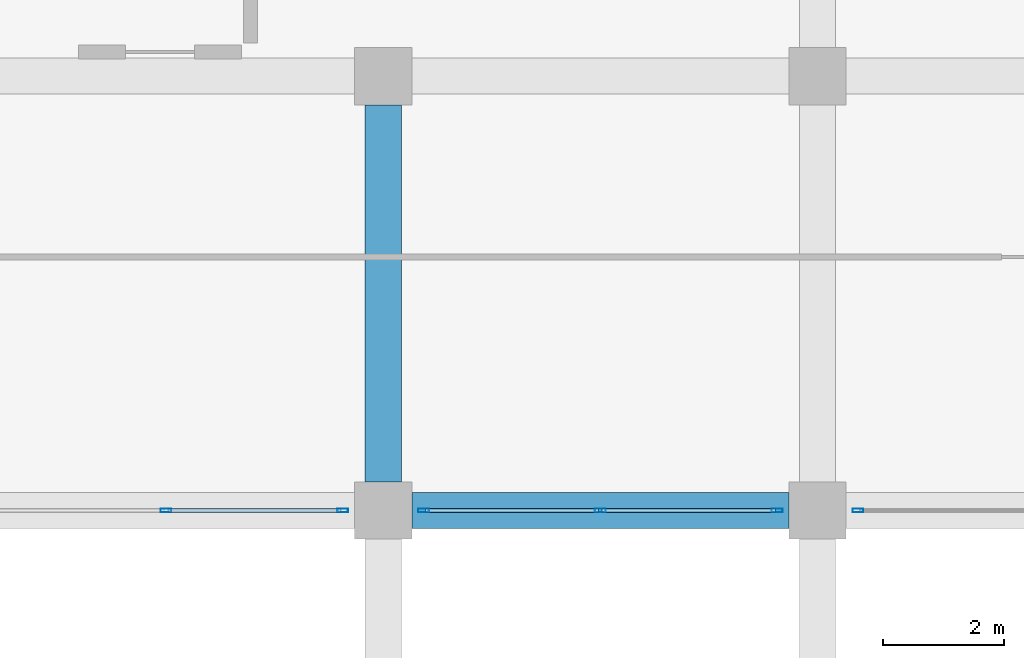
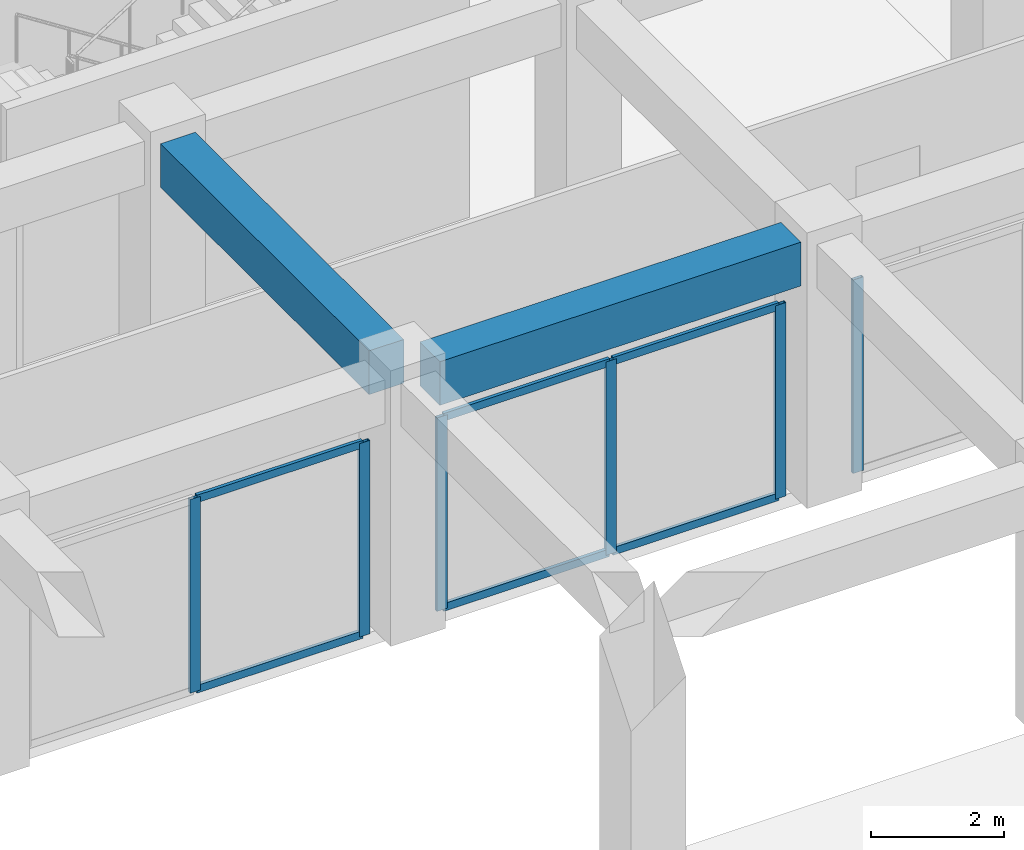
# One storey, part 15 of 54: 12 members, 2 beams, 3 elements without a shape of their own.
"""IFC4 building model written with IfcOpenShell, lengths in metres."""

from ifc_helpers import new_model, si_unit, direction, frame, origin, origin_2d, place, context, subcontext, project, spatial, rectangle, hollow_rectangle, extrude, material, material_profile, profile_set, type_object, element, aggregate, save


model = new_model("IFC4")

# Units and contexts
model_context = context("Model", 3, precision=1e-05, world=origin(), true_north=direction((0.0, 1.0)))
body_context = subcontext(model_context, "Body", "Model", "MODEL_VIEW")
ifc_project = project(units=[si_unit("LENGTHUNIT", "METRE"), si_unit("AREAUNIT", "SQUARE_METRE"), si_unit("VOLUMEUNIT", "CUBIC_METRE"), si_unit("PLANEANGLEUNIT", "RADIAN"), si_unit("MASSUNIT", "GRAM", prefix="KILO")], contexts=[model_context])

# Site, building, storey
site_placement = place(None, origin())
site = spatial("IfcSite", under=ifc_project, at=site_placement, CompositionType="ELEMENT")
building_placement = place(site_placement, origin())
building = spatial("IfcBuilding", under=site, at=building_placement, Name="Kazehaya Institute of Natural Sciences", CompositionType="ELEMENT")
storey_placement = place(building_placement, frame((0.0, 0.0, 5.39990234375)))
storey = spatial("IfcBuildingStorey", under=building, at=storey_placement, Name="L01", CompositionType="ELEMENT", Elevation=5.39990234375)

# Beams
ifc_material_1 = material(Name="Concrete Fc36", Category="concrete")
ifc_material_profile_1 = material_profile(ifc_material_1, rectangle(XDim=0.60009765625, YDim=0.800048828125, at=origin_2d()), Name="RC-600x800")
ifc_profile_set_1 = profile_set([ifc_material_profile_1], Name="Concrete Fc36")
beam_type = type_object("IfcBeamType", Name="BM-G-600x800", PredefinedType="BEAM", material=ifc_profile_set_1)
for number, where, z_axis, x_axis, name in (
    (1, (105.47509765625, 14.0, 4.3701171875), (1.0, 0.0, 0.0), (0.0, 1.0, 0.0), "L01 primary X girder BMX-L01-1050-140"),
    (2, (105.0, 14.47509765625, 4.3701171875), (0.0, 1.0, 0.0), (-1.0, 0.0, 0.0), "L01 primary Y girder BMY-L01-1050-140"),
):
    element("IfcBeam", number, at=place(storey_placement, frame(where, z_axis=z_axis, x_axis=x_axis)), inside=storey, type_object=beam_type, Name=name, PredefinedType="BEAM", context=body_context, shape_type="SweptSolid", body=[
        extrude(rectangle(XDim=0.60009765625, YDim=0.800048828125, at=origin_2d()), origin(), (0.0, 0.0, 1.0), 6.25),
    ])

# Curtain wall, member
ifc_material_2 = material(Name="Aluminium alloy A6063S-T5", Category="aluminium")
curtain_wall_type = type_object("IfcCurtainWallType", Name="CW-SYS-02", PredefinedType="NOTDEFINED", material=ifc_material_2)
curtain_wall_1_placement = place(storey_placement, origin())
curtain_wall_1 = element("IfcCurtainWall", 3, at=curtain_wall_1_placement, inside=storey, type_object=curtain_wall_type, Name="L01 unitised curtain wall CW-L01-039", PredefinedType="NOTDEFINED")
ifc_material_profile_2 = material_profile(ifc_material_2, hollow_rectangle(XDim=0.06005859375, YDim=0.179931640625, WallThickness=0.00390625, at=origin_2d()), Name="ALU-60x180x4")
ifc_profile_set_2 = profile_set([ifc_material_profile_2], Name="Aluminium alloy A6063S-T5")
member_type_1 = type_object("IfcMemberType", Name="CWM-180", PredefinedType="MULLION", material=ifc_profile_set_2)
member_1_placement = place(storey_placement, frame((112.8701171875, 14.0, 0.0), z_axis=(0.0, 0.0, 1.0), x_axis=(0.0, -1.0, 0.0)))
member_1 = element("IfcMember", 4, at=member_1_placement, type_object=member_type_1, Name="CW02 mullion 3", PredefinedType="MULLION", context=body_context, shape_type="SweptSolid", body=[
    extrude(hollow_rectangle(XDim=0.06005859375, YDim=0.179931640625, WallThickness=0.00390625, at=origin_2d()), origin(), (0.0, 0.0, 1.0), 3.5400390625),
])
aggregate(curtain_wall_1, [member_1])

# Curtain wall, members
curtain_wall_2_placement = place(storey_placement, origin())
curtain_wall_2 = element("IfcCurtainWall", 5, at=curtain_wall_2_placement, inside=storey, type_object=curtain_wall_type, Name="L01 unitised curtain wall CW-L01-040", PredefinedType="NOTDEFINED")
member_2_placement = place(storey_placement, frame((111.530029296875, 14.0, 0.0), z_axis=(0.0, 0.0, 1.0), x_axis=(0.0, -1.0, 0.0)))
member_2 = element("IfcMember", 6, at=member_2_placement, type_object=member_type_1, Name="CW02 mullion 1", PredefinedType="MULLION", context=body_context, shape_type="SweptSolid", body=[
    extrude(hollow_rectangle(XDim=0.06005859375, YDim=0.179931640625, WallThickness=0.00390625, at=origin_2d()), origin(), (0.0, 0.0, 1.0), 3.5400390625),
])
member_3_placement = place(storey_placement, frame((108.60009765625, 14.0, 0.0), z_axis=(0.0, 0.0, 1.0), x_axis=(0.0, -1.0, 0.0)))
member_3 = element("IfcMember", 7, at=member_3_placement, type_object=member_type_1, Name="CW02 mullion 2", PredefinedType="MULLION", context=body_context, shape_type="SweptSolid", body=[
    extrude(hollow_rectangle(XDim=0.06005859375, YDim=0.179931640625, WallThickness=0.00390625, at=origin_2d()), origin(), (0.0, 0.0, 1.0), 3.5400390625),
])
member_4_placement = place(storey_placement, frame((105.669921875, 14.0, 0.0), z_axis=(0.0, 0.0, 1.0), x_axis=(0.0, -1.0, 0.0)))
member_4 = element("IfcMember", 8, at=member_4_placement, type_object=member_type_1, Name="CW02 mullion 3", PredefinedType="MULLION", context=body_context, shape_type="SweptSolid", body=[
    extrude(hollow_rectangle(XDim=0.06005859375, YDim=0.179931640625, WallThickness=0.00390625, at=origin_2d()), origin(), (0.0, 0.0, 1.0), 3.5400390625),
])

curtain_wall_3_placement = place(storey_placement, origin())
curtain_wall_3 = element("IfcCurtainWall", 9, at=curtain_wall_3_placement, inside=storey, type_object=curtain_wall_type, Name="L01 unitised curtain wall CW-L01-041", PredefinedType="NOTDEFINED")
member_5_placement = place(storey_placement, frame((104.330078125, 14.0, 0.0), z_axis=(0.0, 0.0, 1.0), x_axis=(0.0, -1.0, 0.0)))
member_5 = element("IfcMember", 10, at=member_5_placement, type_object=member_type_1, Name="CW02 mullion 1", PredefinedType="MULLION", context=body_context, shape_type="SweptSolid", body=[
    extrude(hollow_rectangle(XDim=0.06005859375, YDim=0.179931640625, WallThickness=0.00390625, at=origin_2d()), origin(), (0.0, 0.0, 1.0), 3.5400390625),
])
member_6_placement = place(storey_placement, frame((101.39990234375, 14.0, 0.0), z_axis=(0.0, 0.0, 1.0), x_axis=(0.0, -1.0, 0.0)))
member_6 = element("IfcMember", 11, at=member_6_placement, type_object=member_type_1, Name="CW02 mullion 2", PredefinedType="MULLION", context=body_context, shape_type="SweptSolid", body=[
    extrude(hollow_rectangle(XDim=0.06005859375, YDim=0.179931640625, WallThickness=0.00390625, at=origin_2d()), origin(), (0.0, 0.0, 1.0), 3.5400390625),
])

# Member
ifc_material_profile_3 = material_profile(ifc_material_2, hollow_rectangle(XDim=0.06005859375, YDim=0.139892578125, WallThickness=0.00341796875, at=origin_2d()), Name="ALU-60x140x3.5")
ifc_profile_set_3 = profile_set([ifc_material_profile_3], Name="Aluminium alloy A6063S-T5")
member_type_2 = type_object("IfcMemberType", Name="CWT-140", PredefinedType="USERDEFINED", material=ifc_profile_set_3)
member_7_placement = place(storey_placement, frame((111.5, 14.0, 0.030029296875), z_axis=(-1.0, 0.0, 0.0), x_axis=(0.0, -1.0, 0.0)))
member_7 = element("IfcMember", 12, at=member_7_placement, type_object=member_type_2, Name="CW02 transom 1.1", ObjectType="TRANSOM", PredefinedType="USERDEFINED", context=body_context, shape_type="SweptSolid", body=[
    extrude(hollow_rectangle(XDim=0.06005859375, YDim=0.139892578125, WallThickness=0.00341796875, at=origin_2d()), origin(), (0.0, 0.0, 1.0), 2.8701171875),
])

member_8_placement = place(storey_placement, frame((111.5, 14.0, 3.510009765625), z_axis=(-1.0, 0.0, 0.0), x_axis=(0.0, -1.0, 0.0)))
member_8 = element("IfcMember", 13, at=member_8_placement, type_object=member_type_2, Name="CW02 transom 1.2", ObjectType="TRANSOM", PredefinedType="USERDEFINED", context=body_context, shape_type="SweptSolid", body=[
    extrude(hollow_rectangle(XDim=0.06005859375, YDim=0.139892578125, WallThickness=0.00341796875, at=origin_2d()), origin(), (0.0, 0.0, 1.0), 2.8701171875),
])

member_9_placement = place(storey_placement, frame((108.570068359375, 14.0, 0.030029296875), z_axis=(-1.0, 0.0, 0.0), x_axis=(0.0, -1.0, 0.0)))
member_9 = element("IfcMember", 14, at=member_9_placement, type_object=member_type_2, Name="CW02 transom 2.1", ObjectType="TRANSOM", PredefinedType="USERDEFINED", context=body_context, shape_type="SweptSolid", body=[
    extrude(hollow_rectangle(XDim=0.06005859375, YDim=0.139892578125, WallThickness=0.00341796875, at=origin_2d()), origin(), (0.0, 0.0, 1.0), 2.8701171875),
])

member_10_placement = place(storey_placement, frame((108.570068359375, 14.0, 3.510009765625), z_axis=(-1.0, 0.0, 0.0), x_axis=(0.0, -1.0, 0.0)))
member_10 = element("IfcMember", 15, at=member_10_placement, type_object=member_type_2, Name="CW02 transom 2.2", ObjectType="TRANSOM", PredefinedType="USERDEFINED", context=body_context, shape_type="SweptSolid", body=[
    extrude(hollow_rectangle(XDim=0.06005859375, YDim=0.139892578125, WallThickness=0.00341796875, at=origin_2d()), origin(), (0.0, 0.0, 1.0), 2.8701171875),
])

aggregate(curtain_wall_2, [member_2, member_3, member_4, member_7, member_8, member_9, member_10])

member_11_placement = place(storey_placement, frame((104.300048828125, 14.0, 0.030029296875), z_axis=(-1.0, 0.0, 0.0), x_axis=(0.0, -1.0, 0.0)))
member_11 = element("IfcMember", 16, at=member_11_placement, type_object=member_type_2, Name="CW02 transom 1.1", ObjectType="TRANSOM", PredefinedType="USERDEFINED", context=body_context, shape_type="SweptSolid", body=[
    extrude(hollow_rectangle(XDim=0.06005859375, YDim=0.139892578125, WallThickness=0.00341796875, at=origin_2d()), origin(), (0.0, 0.0, 1.0), 2.8701171875),
])

member_12_placement = place(storey_placement, frame((104.300048828125, 14.0, 3.510009765625), z_axis=(-1.0, 0.0, 0.0), x_axis=(0.0, -1.0, 0.0)))
member_12 = element("IfcMember", 17, at=member_12_placement, type_object=member_type_2, Name="CW02 transom 1.2", ObjectType="TRANSOM", PredefinedType="USERDEFINED", context=body_context, shape_type="SweptSolid", body=[
    extrude(hollow_rectangle(XDim=0.06005859375, YDim=0.139892578125, WallThickness=0.00341796875, at=origin_2d()), origin(), (0.0, 0.0, 1.0), 2.8701171875),
])

aggregate(curtain_wall_3, [member_5, member_6, member_11, member_12])

save(model, "model.ifc")
